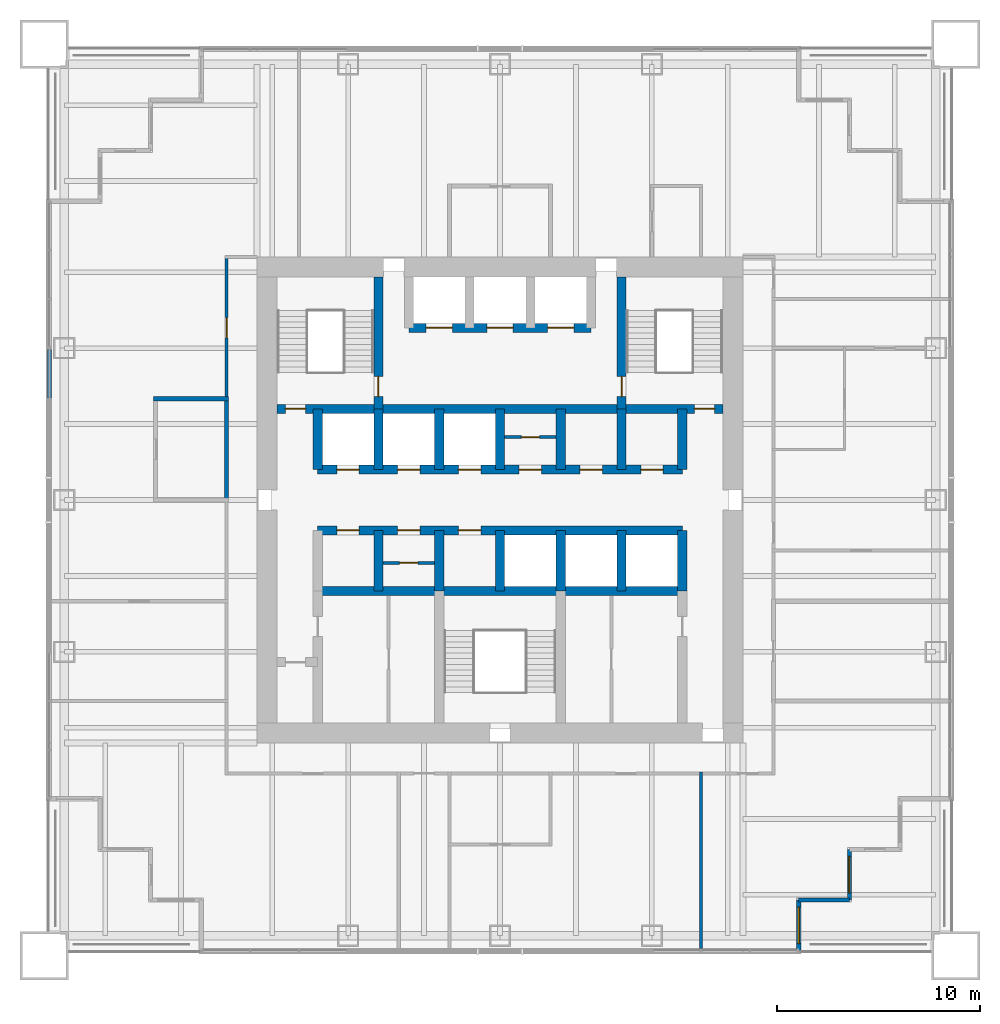
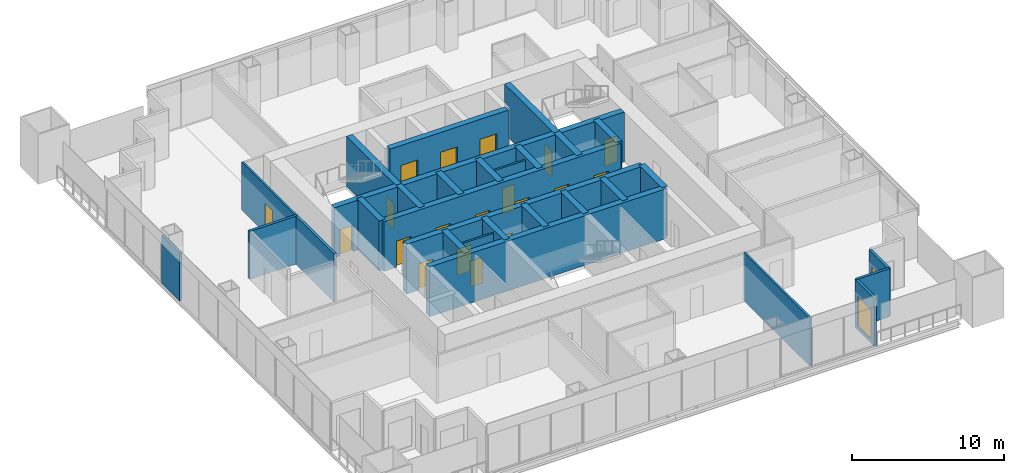
# One storey, part 9 of 13: 30 walls, 19 doors, 2 windows, 21 openings.
"""IFC4 building model written with IfcOpenShell, lengths in metres."""

from ifc_helpers import new_model, si_unit, direction, frame, frame_2d, origin, place, context, subcontext, project, spatial, rectangle, extrude, material, layer, layer_set, type_object, element, fill, save


model = new_model("IFC4")

# Units and contexts
model_context = context("Model", 3, precision=1e-05, world=origin(), true_north=direction((0.0, 1.0)))
body_context = subcontext(model_context, "Body", "Model", "MODEL_VIEW")
ifc_project = project(units=[si_unit("LENGTHUNIT", "METRE"), si_unit("AREAUNIT", "SQUARE_METRE"), si_unit("VOLUMEUNIT", "CUBIC_METRE"), si_unit("PLANEANGLEUNIT", "RADIAN"), si_unit("MASSUNIT", "GRAM", prefix="KILO")], contexts=[model_context])

# Site, building, storey
site_placement = place(None, origin())
site = spatial("IfcSite", under=ifc_project, at=site_placement, CompositionType="ELEMENT")
building_placement = place(site_placement, origin())
building = spatial("IfcBuilding", under=site, at=building_placement, Name="Tarangal Relay Tower", CompositionType="ELEMENT")
storey_placement = place(building_placement, frame((0.0, 0.0, 197.89990234375)))
storey = spatial("IfcBuildingStorey", under=building, at=storey_placement, Name="L41", CompositionType="ELEMENT", Elevation=197.89990234375)

# Walls
ifc_material_1 = material(Name="Two layers gypsum board each side on twin steel studs, mineral wool", Category="steel")
ifc_layer_1 = layer(ifc_material_1, 0.199951171875)
ifc_layer_set_1 = layer_set([ifc_layer_1], Name="Acoustic partition 200")
wall_type_1 = type_object("IfcWallType", Name="Acoustic partition 200", PredefinedType="PARTITIONING", material=ifc_layer_set_1)
wall_1_placement = place(storey_placement, frame((-17.10009765625, 5.0, 0.0), z_axis=(0.0, 0.0, 1.0), x_axis=(1.0, 0.0, 0.0)))
element("IfcWall", 1, at=wall_1_placement, inside=storey, type_object=wall_type_1, Name="Partition PT2 L41", PredefinedType="PARTITIONING", context=body_context, shape_type="SweptSolid", body=[
    extrude(rectangle(XDim=3.7001953125, YDim=0.199951171875, at=frame_2d((1.85009765625, 0.0))), origin(), (0.0, 0.0, 1.0), 3.85009765625),
])
wall_2_placement = place(storey_placement, frame((-13.5, -0.10009765625, 0.0), z_axis=(0.0, 0.0, 1.0), x_axis=(0.0, 1.0, 0.0)))
element("IfcWall", 2, at=wall_2_placement, inside=storey, type_object=wall_type_1, Name="Partition PT2 L41", PredefinedType="PARTITIONING", context=body_context, shape_type="SweptSolid", body=[
    extrude(rectangle(XDim=5.2001953125, YDim=0.199951171875, at=frame_2d((2.60009765625, 0.0))), origin(), (0.0, 0.0, 1.0), 3.85009765625),
])

# Wall, openings, doors
ifc_material_2 = material(Name="Concrete fc' 60 MPa", Category="concrete")
ifc_layer_2 = layer(ifc_material_2, 0.449951171875)
ifc_layer_set_2 = layer_set([ifc_layer_2], Name="Core inner wall 450")
wall_type_2 = type_object("IfcWallType", Name="Core inner wall 450", PredefinedType="SHEAR", material=ifc_layer_set_2)
wall_3_placement = place(storey_placement, frame((-11.0, 4.5, 0.0), z_axis=(0.0, 0.0, 1.0), x_axis=(1.0, 0.0, 0.0)))
wall_3 = element("IfcWall", 3, at=wall_3_placement, inside=storey, type_object=wall_type_2, Name="Core wall Y45 L41", PredefinedType="SHEAR", context=body_context, shape_type="SweptSolid", body=[
    extrude(rectangle(XDim=22.0, YDim=0.449951171875, at=frame_2d((11.0, 0.0))), origin(), (0.0, 0.0, 1.0), 4.0),
])
opening_1_placement = place(wall_3_placement, frame((0.39990234375, 0.0, 0.0)))
opening_1 = element("IfcOpeningElement", 4, at=opening_1_placement, cuts=wall_3, Name="Opening FD1", PredefinedType="OPENING", context=body_context, shape_type="SweptSolid", body=[
    extrude(rectangle(XDim=1.0, YDim=2.10009765625, at=frame_2d((0.5, 1.050048828125))), frame((0.0, 0.23486328125, 0.0), z_axis=(0.0, -1.0, 0.0), x_axis=(1.0, 0.0, 0.0)), (0.0, 0.0, 1.0), 0.469970703125),
])
opening_2_placement = place(wall_3_placement, frame((20.60009765625, 0.0, 0.0)))
opening_2 = element("IfcOpeningElement", 5, at=opening_2_placement, cuts=wall_3, Name="Opening FD1", PredefinedType="OPENING", context=body_context, shape_type="SweptSolid", body=[
    extrude(rectangle(XDim=1.0, YDim=2.10009765625, at=frame_2d((0.5, 1.050048828125))), frame((0.0, 0.23486328125, 0.0), z_axis=(0.0, -1.0, 0.0), x_axis=(1.0, 0.0, 0.0)), (0.0, 0.0, 1.0), 0.469970703125),
])
ifc_material_3 = material(Name="Steel door with hardwood frame", Category="steel")
door_type_1 = type_object("IfcDoorType", Name="Fire door 1000 x 2100", OperationType="SINGLE_SWING_LEFT", PredefinedType="DOOR", material=ifc_material_3)
door_1_placement = place(opening_1_placement, origin())
door_1 = element("IfcDoor", 6, at=door_1_placement, inside=storey, type_object=door_type_1, Name="Stair ST-A door from corridor L41", OperationType="SINGLE_SWING_LEFT", OverallHeight=2.10009765625, OverallWidth=1.0, PredefinedType="DOOR", context=body_context, shape_type="SweptSolid", body=[
    extrude(rectangle(XDim=1.0, YDim=2.10009765625, at=frame_2d((0.5, 1.050048828125))), frame((0.0, 0.02490234375, 0.0), z_axis=(0.0, -1.0, 0.0), x_axis=(1.0, 0.0, 0.0)), (0.0, 0.0, 1.0), 0.050048828125),
])
fill(opening_1, door_1)
door_2_placement = place(opening_2_placement, origin())
door_2 = element("IfcDoor", 7, at=door_2_placement, inside=storey, type_object=door_type_1, Name="Stair ST-B door from corridor L41", OperationType="SINGLE_SWING_LEFT", OverallHeight=2.10009765625, OverallWidth=1.0, PredefinedType="DOOR", context=body_context, shape_type="SweptSolid", body=[
    extrude(rectangle(XDim=1.0, YDim=2.10009765625, at=frame_2d((0.5, 1.050048828125))), frame((0.0, 0.02490234375, 0.0), z_axis=(0.0, -1.0, 0.0), x_axis=(1.0, 0.0, 0.0)), (0.0, 0.0, 1.0), 0.050048828125),
])
fill(opening_2, door_2)

wall_4_placement = place(storey_placement, frame((-9.0, 1.5, 0.0), z_axis=(0.0, 0.0, 1.0), x_axis=(1.0, 0.0, 0.0)))
wall_4 = element("IfcWall", 8, at=wall_4_placement, inside=storey, type_object=wall_type_2, Name="Core wall Y15 L41", PredefinedType="SHEAR", context=body_context, shape_type="SweptSolid", body=[
    extrude(rectangle(XDim=18.0, YDim=0.449951171875, at=frame_2d((9.0, 0.0))), origin(), (0.0, 0.0, 1.0), 4.0),
])
opening_3_placement = place(wall_4_placement, frame((0.949951171875, 0.0, 0.0)))
opening_3 = element("IfcOpeningElement", 9, at=opening_3_placement, cuts=wall_4, Name="Opening LD1", PredefinedType="OPENING", context=body_context, shape_type="SweptSolid", body=[
    extrude(rectangle(XDim=1.10009765625, YDim=2.10009765625, at=frame_2d((0.550048828125, 1.050048828125))), frame((0.0, 0.23486328125, 0.0), z_axis=(0.0, -1.0, 0.0), x_axis=(1.0, 0.0, 0.0)), (0.0, 0.0, 1.0), 0.469970703125),
])
opening_4_placement = place(wall_4_placement, frame((3.949951171875, 0.0, 0.0)))
opening_4 = element("IfcOpeningElement", 10, at=opening_4_placement, cuts=wall_4, Name="Opening LD1", PredefinedType="OPENING", context=body_context, shape_type="SweptSolid", body=[
    extrude(rectangle(XDim=1.10009765625, YDim=2.10009765625, at=frame_2d((0.550048828125, 1.050048828125))), frame((0.0, 0.23486328125, 0.0), z_axis=(0.0, -1.0, 0.0), x_axis=(1.0, 0.0, 0.0)), (0.0, 0.0, 1.0), 0.469970703125),
])
opening_5_placement = place(wall_4_placement, frame((6.949951171875, 0.0, 0.0)))
opening_5 = element("IfcOpeningElement", 11, at=opening_5_placement, cuts=wall_4, Name="Opening LD1", PredefinedType="OPENING", context=body_context, shape_type="SweptSolid", body=[
    extrude(rectangle(XDim=1.10009765625, YDim=2.10009765625, at=frame_2d((0.550048828125, 1.050048828125))), frame((0.0, 0.23486328125, 0.0), z_axis=(0.0, -1.0, 0.0), x_axis=(1.0, 0.0, 0.0)), (0.0, 0.0, 1.0), 0.469970703125),
])
opening_6_placement = place(wall_4_placement, frame((9.949951171875, 0.0, 0.0)))
opening_6 = element("IfcOpeningElement", 12, at=opening_6_placement, cuts=wall_4, Name="Opening D4", PredefinedType="OPENING", context=body_context, shape_type="SweptSolid", body=[
    extrude(rectangle(XDim=1.10009765625, YDim=2.10009765625, at=frame_2d((0.550048828125, 1.050048828125))), frame((0.0, 0.23486328125, 0.0), z_axis=(0.0, -1.0, 0.0), x_axis=(1.0, 0.0, 0.0)), (0.0, 0.0, 1.0), 0.469970703125),
])
opening_7_placement = place(wall_4_placement, frame((12.949951171875, 0.0, 0.0)))
opening_7 = element("IfcOpeningElement", 13, at=opening_7_placement, cuts=wall_4, Name="Opening D4", PredefinedType="OPENING", context=body_context, shape_type="SweptSolid", body=[
    extrude(rectangle(XDim=1.10009765625, YDim=2.10009765625, at=frame_2d((0.550048828125, 1.050048828125))), frame((0.0, 0.23486328125, 0.0), z_axis=(0.0, -1.0, 0.0), x_axis=(1.0, 0.0, 0.0)), (0.0, 0.0, 1.0), 0.469970703125),
])
opening_8_placement = place(wall_4_placement, frame((15.949951171875, 0.0, 0.0)))
opening_8 = element("IfcOpeningElement", 14, at=opening_8_placement, cuts=wall_4, Name="Opening D4", PredefinedType="OPENING", context=body_context, shape_type="SweptSolid", body=[
    extrude(rectangle(XDim=1.10009765625, YDim=2.10009765625, at=frame_2d((0.550048828125, 1.050048828125))), frame((0.0, 0.23486328125, 0.0), z_axis=(0.0, -1.0, 0.0), x_axis=(1.0, 0.0, 0.0)), (0.0, 0.0, 1.0), 0.469970703125),
])
door_type_2 = type_object("IfcDoorType", Name="Core room door 1100 x 2100", OperationType="SINGLE_SWING_RIGHT", PredefinedType="DOOR", material=ifc_material_3)
door_3_placement = place(opening_6_placement, origin())
door_3 = element("IfcDoor", 15, at=door_3_placement, inside=storey, type_object=door_type_2, Name="Door D4 to it room L41-T1", OperationType="SINGLE_SWING_RIGHT", OverallHeight=2.10009765625, OverallWidth=1.10009765625, PredefinedType="DOOR", context=body_context, shape_type="SweptSolid", body=[
    extrude(rectangle(XDim=1.10009765625, YDim=2.10009765625, at=frame_2d((0.550048828125, 1.050048828125))), frame((0.0, 0.02490234375, 0.0), z_axis=(0.0, -1.0, 0.0), x_axis=(1.0, 0.0, 0.0)), (0.0, 0.0, 1.0), 0.050048828125),
])
fill(opening_6, door_3)
door_4_placement = place(opening_7_placement, origin())
door_4 = element("IfcDoor", 16, at=door_4_placement, inside=storey, type_object=door_type_2, Name="Door D4 to cleaner's store L41-T2", OperationType="SINGLE_SWING_RIGHT", OverallHeight=2.10009765625, OverallWidth=1.10009765625, PredefinedType="DOOR", context=body_context, shape_type="SweptSolid", body=[
    extrude(rectangle(XDim=1.10009765625, YDim=2.10009765625, at=frame_2d((0.550048828125, 1.050048828125))), frame((0.0, 0.02490234375, 0.0), z_axis=(0.0, -1.0, 0.0), x_axis=(1.0, 0.0, 0.0)), (0.0, 0.0, 1.0), 0.050048828125),
])
fill(opening_7, door_4)
door_5_placement = place(opening_8_placement, origin())
door_5 = element("IfcDoor", 17, at=door_5_placement, inside=storey, type_object=door_type_2, Name="Door D4 to staff wc L41-T3", OperationType="SINGLE_SWING_RIGHT", OverallHeight=2.10009765625, OverallWidth=1.10009765625, PredefinedType="DOOR", context=body_context, shape_type="SweptSolid", body=[
    extrude(rectangle(XDim=1.10009765625, YDim=2.10009765625, at=frame_2d((0.550048828125, 1.050048828125))), frame((0.0, 0.02490234375, 0.0), z_axis=(0.0, -1.0, 0.0), x_axis=(1.0, 0.0, 0.0)), (0.0, 0.0, 1.0), 0.050048828125),
])
fill(opening_8, door_5)
door_type_3 = type_object("IfcDoorType", Name="Lift landing door 1100 x 2100", OperationType="SLIDING_TO_LEFT", PredefinedType="DOOR", material=ifc_material_3)
door_6_placement = place(opening_3_placement, origin())
door_6 = element("IfcDoor", 18, at=door_6_placement, inside=storey, type_object=door_type_3, Name="Lift OL1 landing door L41", OperationType="SLIDING_TO_LEFT", OverallHeight=2.10009765625, OverallWidth=1.10009765625, PredefinedType="DOOR", context=body_context, shape_type="SweptSolid", body=[
    extrude(rectangle(XDim=1.10009765625, YDim=2.10009765625, at=frame_2d((0.550048828125, 1.050048828125))), frame((0.0, 0.02490234375, 0.0), z_axis=(0.0, -1.0, 0.0), x_axis=(1.0, 0.0, 0.0)), (0.0, 0.0, 1.0), 0.050048828125),
])
fill(opening_3, door_6)
door_7_placement = place(opening_4_placement, origin())
door_7 = element("IfcDoor", 19, at=door_7_placement, inside=storey, type_object=door_type_3, Name="Lift OL2 landing door L41", OperationType="SLIDING_TO_LEFT", OverallHeight=2.10009765625, OverallWidth=1.10009765625, PredefinedType="DOOR", context=body_context, shape_type="SweptSolid", body=[
    extrude(rectangle(XDim=1.10009765625, YDim=2.10009765625, at=frame_2d((0.550048828125, 1.050048828125))), frame((0.0, 0.02490234375, 0.0), z_axis=(0.0, -1.0, 0.0), x_axis=(1.0, 0.0, 0.0)), (0.0, 0.0, 1.0), 0.050048828125),
])
fill(opening_4, door_7)
door_8_placement = place(opening_5_placement, origin())
door_8 = element("IfcDoor", 20, at=door_8_placement, inside=storey, type_object=door_type_3, Name="Lift OL3 landing door L41", OperationType="SLIDING_TO_LEFT", OverallHeight=2.10009765625, OverallWidth=1.10009765625, PredefinedType="DOOR", context=body_context, shape_type="SweptSolid", body=[
    extrude(rectangle(XDim=1.10009765625, YDim=2.10009765625, at=frame_2d((0.550048828125, 1.050048828125))), frame((0.0, 0.02490234375, 0.0), z_axis=(0.0, -1.0, 0.0), x_axis=(1.0, 0.0, 0.0)), (0.0, 0.0, 1.0), 0.050048828125),
])
fill(opening_5, door_8)

wall_5_placement = place(storey_placement, frame((-9.0, -1.5, 0.0), z_axis=(0.0, 0.0, 1.0), x_axis=(1.0, 0.0, 0.0)))
wall_5 = element("IfcWall", 21, at=wall_5_placement, inside=storey, type_object=wall_type_2, Name="Core wall YM15 L41", PredefinedType="SHEAR", context=body_context, shape_type="SweptSolid", body=[
    extrude(rectangle(XDim=18.0, YDim=0.449951171875, at=frame_2d((9.0, 0.0))), origin(), (0.0, 0.0, 1.0), 4.0),
])
opening_9_placement = place(wall_5_placement, frame((0.949951171875, 0.0, 0.0)))
opening_9 = element("IfcOpeningElement", 22, at=opening_9_placement, cuts=wall_5, Name="Opening D4", PredefinedType="OPENING", context=body_context, shape_type="SweptSolid", body=[
    extrude(rectangle(XDim=1.10009765625, YDim=2.10009765625, at=frame_2d((0.550048828125, 1.050048828125))), frame((0.0, 0.23486328125, 0.0), z_axis=(0.0, -1.0, 0.0), x_axis=(1.0, 0.0, 0.0)), (0.0, 0.0, 1.0), 0.469970703125),
])
opening_10_placement = place(wall_5_placement, frame((3.949951171875, 0.0, 0.0)))
opening_10 = element("IfcOpeningElement", 23, at=opening_10_placement, cuts=wall_5, Name="Opening D4", PredefinedType="OPENING", context=body_context, shape_type="SweptSolid", body=[
    extrude(rectangle(XDim=1.10009765625, YDim=2.10009765625, at=frame_2d((0.550048828125, 1.050048828125))), frame((0.0, 0.23486328125, 0.0), z_axis=(0.0, -1.0, 0.0), x_axis=(1.0, 0.0, 0.0)), (0.0, 0.0, 1.0), 0.469970703125),
])
opening_11_placement = place(wall_5_placement, frame((6.949951171875, 0.0, 0.0)))
opening_11 = element("IfcOpeningElement", 24, at=opening_11_placement, cuts=wall_5, Name="Opening D4", PredefinedType="OPENING", context=body_context, shape_type="SweptSolid", body=[
    extrude(rectangle(XDim=1.10009765625, YDim=2.10009765625, at=frame_2d((0.550048828125, 1.050048828125))), frame((0.0, 0.23486328125, 0.0), z_axis=(0.0, -1.0, 0.0), x_axis=(1.0, 0.0, 0.0)), (0.0, 0.0, 1.0), 0.469970703125),
])
door_9_placement = place(opening_9_placement, origin())
door_9 = element("IfcDoor", 25, at=door_9_placement, inside=storey, type_object=door_type_2, Name="Door D4 to staff pantry L41-S1", OperationType="SINGLE_SWING_RIGHT", OverallHeight=2.10009765625, OverallWidth=1.10009765625, PredefinedType="DOOR", context=body_context, shape_type="SweptSolid", body=[
    extrude(rectangle(XDim=1.10009765625, YDim=2.10009765625, at=frame_2d((0.550048828125, 1.050048828125))), frame((0.0, 0.02490234375, 0.0), z_axis=(0.0, -1.0, 0.0), x_axis=(1.0, 0.0, 0.0)), (0.0, 0.0, 1.0), 0.050048828125),
])
fill(opening_9, door_9)
door_10_placement = place(opening_10_placement, origin())
door_10 = element("IfcDoor", 26, at=door_10_placement, inside=storey, type_object=door_type_2, Name="Door D4 to it room L41-S2", OperationType="SINGLE_SWING_RIGHT", OverallHeight=2.10009765625, OverallWidth=1.10009765625, PredefinedType="DOOR", context=body_context, shape_type="SweptSolid", body=[
    extrude(rectangle(XDim=1.10009765625, YDim=2.10009765625, at=frame_2d((0.550048828125, 1.050048828125))), frame((0.0, 0.02490234375, 0.0), z_axis=(0.0, -1.0, 0.0), x_axis=(1.0, 0.0, 0.0)), (0.0, 0.0, 1.0), 0.050048828125),
])
fill(opening_10, door_10)
door_11_placement = place(opening_11_placement, origin())
door_11 = element("IfcDoor", 27, at=door_11_placement, inside=storey, type_object=door_type_2, Name="Door D4 to cleaner's store L41-S3", OperationType="SINGLE_SWING_RIGHT", OverallHeight=2.10009765625, OverallWidth=1.10009765625, PredefinedType="DOOR", context=body_context, shape_type="SweptSolid", body=[
    extrude(rectangle(XDim=1.10009765625, YDim=2.10009765625, at=frame_2d((0.550048828125, 1.050048828125))), frame((0.0, 0.02490234375, 0.0), z_axis=(0.0, -1.0, 0.0), x_axis=(1.0, 0.0, 0.0)), (0.0, 0.0, 1.0), 0.050048828125),
])
fill(opening_11, door_11)

# Wall
wall_6_placement = place(storey_placement, frame((-9.0, -4.5, 0.0), z_axis=(0.0, 0.0, 1.0), x_axis=(1.0, 0.0, 0.0)))
element("IfcWall", 28, at=wall_6_placement, inside=storey, type_object=wall_type_2, Name="Core wall YM45 L41", PredefinedType="SHEAR", context=body_context, shape_type="SweptSolid", body=[
    extrude(rectangle(XDim=18.0, YDim=0.449951171875, at=frame_2d((9.0, 0.0))), origin(), (0.0, 0.0, 1.0), 4.0),
])

# Wall, openings, doors
wall_7_placement = place(storey_placement, frame((-4.5, 8.5, 0.0), z_axis=(0.0, 0.0, 1.0), x_axis=(1.0, 0.0, 0.0)))
wall_7 = element("IfcWall", 29, at=wall_7_placement, inside=storey, type_object=wall_type_2, Name="Core wall Y85 L41", PredefinedType="SHEAR", context=body_context, shape_type="SweptSolid", body=[
    extrude(rectangle(XDim=9.0, YDim=0.449951171875, at=frame_2d((4.5, 0.0))), origin(), (0.0, 0.0, 1.0), 4.0),
])
opening_12_placement = place(wall_7_placement, frame((0.85009765625, 0.0, 0.0)))
opening_12 = element("IfcOpeningElement", 30, at=opening_12_placement, cuts=wall_7, Name="Opening LD2", PredefinedType="OPENING", context=body_context, shape_type="SweptSolid", body=[
    extrude(rectangle(XDim=1.300048828125, YDim=2.39990234375, at=frame_2d((0.64990234375, 1.199951171875))), frame((0.0, 0.23486328125, 0.0), z_axis=(0.0, -1.0, 0.0), x_axis=(1.0, 0.0, 0.0)), (0.0, 0.0, 1.0), 0.469970703125),
])
opening_13_placement = place(wall_7_placement, frame((6.85009765625, 0.0, 0.0)))
opening_13 = element("IfcOpeningElement", 31, at=opening_13_placement, cuts=wall_7, Name="Opening LD2", PredefinedType="OPENING", context=body_context, shape_type="SweptSolid", body=[
    extrude(rectangle(XDim=1.300048828125, YDim=2.39990234375, at=frame_2d((0.64990234375, 1.199951171875))), frame((0.0, 0.23486328125, 0.0), z_axis=(0.0, -1.0, 0.0), x_axis=(1.0, 0.0, 0.0)), (0.0, 0.0, 1.0), 0.469970703125),
])
opening_14_placement = place(wall_7_placement, frame((3.85009765625, 0.0, 0.0)))
opening_14 = element("IfcOpeningElement", 32, at=opening_14_placement, cuts=wall_7, Name="Opening LD2", PredefinedType="OPENING", context=body_context, shape_type="SweptSolid", body=[
    extrude(rectangle(XDim=1.300048828125, YDim=2.39990234375, at=frame_2d((0.64990234375, 1.199951171875))), frame((0.0, 0.23486328125, 0.0), z_axis=(0.0, -1.0, 0.0), x_axis=(1.0, 0.0, 0.0)), (0.0, 0.0, 1.0), 0.469970703125),
])
door_type_4 = type_object("IfcDoorType", Name="Lift landing door 1300 x 2400", OperationType="SLIDING_TO_LEFT", PredefinedType="DOOR", material=ifc_material_3)
door_12_placement = place(opening_12_placement, origin())
door_12 = element("IfcDoor", 33, at=door_12_placement, inside=storey, type_object=door_type_4, Name="Lift FF1 landing door L41", OperationType="SLIDING_TO_LEFT", OverallHeight=2.39990234375, OverallWidth=1.300048828125, PredefinedType="DOOR", context=body_context, shape_type="SweptSolid", body=[
    extrude(rectangle(XDim=1.300048828125, YDim=2.39990234375, at=frame_2d((0.64990234375, 1.199951171875))), frame((0.0, 0.02490234375, 0.0), z_axis=(0.0, -1.0, 0.0), x_axis=(1.0, 0.0, 0.0)), (0.0, 0.0, 1.0), 0.050048828125),
])
fill(opening_12, door_12)
door_13_placement = place(opening_13_placement, origin())
door_13 = element("IfcDoor", 34, at=door_13_placement, inside=storey, type_object=door_type_4, Name="Lift FF2 landing door L41", OperationType="SLIDING_TO_LEFT", OverallHeight=2.39990234375, OverallWidth=1.300048828125, PredefinedType="DOOR", context=body_context, shape_type="SweptSolid", body=[
    extrude(rectangle(XDim=1.300048828125, YDim=2.39990234375, at=frame_2d((0.64990234375, 1.199951171875))), frame((0.0, 0.02490234375, 0.0), z_axis=(0.0, -1.0, 0.0), x_axis=(1.0, 0.0, 0.0)), (0.0, 0.0, 1.0), 0.050048828125),
])
fill(opening_13, door_13)
door_14_placement = place(opening_14_placement, origin())
door_14 = element("IfcDoor", 35, at=door_14_placement, inside=storey, type_object=door_type_4, Name="Lift SV1 landing door L41", OperationType="SLIDING_TO_LEFT", OverallHeight=2.39990234375, OverallWidth=1.300048828125, PredefinedType="DOOR", context=body_context, shape_type="SweptSolid", body=[
    extrude(rectangle(XDim=1.300048828125, YDim=2.39990234375, at=frame_2d((0.64990234375, 1.199951171875))), frame((0.0, 0.02490234375, 0.0), z_axis=(0.0, -1.0, 0.0), x_axis=(1.0, 0.0, 0.0)), (0.0, 0.0, 1.0), 0.050048828125),
])
fill(opening_14, door_14)

# Walls
for number, where, z_axis, x_axis, name in (
    (36, (-9.0, 1.5, 0.0), (0.0, 0.0, 1.0), (0.0, 1.0, 0.0), "Core wall XM9N L41"),
    (37, (9.0, 1.5, 0.0), (0.0, 0.0, 1.0), (0.0, 1.0, 0.0), "Core wall X9N L41"),
    (38, (9.0, -4.5, 0.0), (0.0, 0.0, 1.0), (0.0, 1.0, 0.0), "Core wall X9S L41"),
    (39, (-6.0, 1.5, 0.0), (0.0, 0.0, 1.0), (0.0, 1.0, 0.0), "Core wall XM6N L41"),
    (40, (-3.0, 1.5, 0.0), (0.0, 0.0, 1.0), (0.0, 1.0, 0.0), "Core wall XM3N L41"),
    (41, (0.0, 1.5, 0.0), (0.0, 0.0, 1.0), (0.0, 1.0, 0.0), "Core wall X0N L41"),
    (42, (3.0, 1.5, 0.0), (0.0, 0.0, 1.0), (0.0, 1.0, 0.0), "Core wall X3N L41"),
    (43, (6.0, 1.5, 0.0), (0.0, 0.0, 1.0), (0.0, 1.0, 0.0), "Core wall X6N L41"),
    (44, (-6.0, -4.5, 0.0), (0.0, 0.0, 1.0), (0.0, 1.0, 0.0), "Core wall XM6S L41"),
    (45, (-3.0, -4.5, 0.0), (0.0, 0.0, 1.0), (0.0, 1.0, 0.0), "Core wall XM3S L41"),
    (46, (0.0, -4.5, 0.0), (0.0, 0.0, 1.0), (0.0, 1.0, 0.0), "Core wall X0S L41"),
    (47, (3.0, -4.5, 0.0), (0.0, 0.0, 1.0), (0.0, 1.0, 0.0), "Core wall X3S L41"),
    (48, (6.0, -4.5, 0.0), (0.0, 0.0, 1.0), (0.0, 1.0, 0.0), "Core wall X6S L41"),
):
    element("IfcWall", number, at=place(storey_placement, frame(where, z_axis=z_axis, x_axis=x_axis)), inside=storey, type_object=wall_type_2, Name=name, PredefinedType="SHEAR", context=body_context, shape_type="SweptSolid", body=[
        extrude(rectangle(XDim=3.0, YDim=0.449951171875, at=frame_2d((1.5, 0.0))), origin(), (0.0, 0.0, 1.0), 4.0),
    ])

# Wall, opening, door
wall_8_placement = place(storey_placement, frame((-6.0, 4.5, 0.0), z_axis=(0.0, 0.0, 1.0), x_axis=(0.0, 1.0, 0.0)))
wall_8 = element("IfcWall", 49, at=wall_8_placement, inside=storey, type_object=wall_type_2, Name="Core wall XM6 L41", PredefinedType="SHEAR", context=body_context, shape_type="SweptSolid", body=[
    extrude(rectangle(XDim=6.5, YDim=0.449951171875, at=frame_2d((3.25, 0.0))), origin(), (0.0, 0.0, 1.0), 4.0),
])
opening_15_placement = place(wall_8_placement, frame((0.60009765625, 0.0, 0.0)))
opening_15 = element("IfcOpeningElement", 50, at=opening_15_placement, cuts=wall_8, Name="Opening FD1", PredefinedType="OPENING", context=body_context, shape_type="SweptSolid", body=[
    extrude(rectangle(XDim=1.0, YDim=2.10009765625, at=frame_2d((0.5, 1.050048828125))), frame((0.0, 0.23486328125, 0.0), z_axis=(0.0, -1.0, 0.0), x_axis=(1.0, 0.0, 0.0)), (0.0, 0.0, 1.0), 0.469970703125),
])
door_15_placement = place(opening_15_placement, origin())
door_15 = element("IfcDoor", 51, at=door_15_placement, inside=storey, type_object=door_type_1, Name="Stair ST-A door from fire-fighting lobby L41", OperationType="SINGLE_SWING_LEFT", OverallHeight=2.10009765625, OverallWidth=1.0, PredefinedType="DOOR", context=body_context, shape_type="SweptSolid", body=[
    extrude(rectangle(XDim=1.0, YDim=2.10009765625, at=frame_2d((0.5, 1.050048828125))), frame((0.0, 0.02490234375, 0.0), z_axis=(0.0, -1.0, 0.0), x_axis=(1.0, 0.0, 0.0)), (0.0, 0.0, 1.0), 0.050048828125),
])
fill(opening_15, door_15)

wall_9_placement = place(storey_placement, frame((6.0, 4.5, 0.0), z_axis=(0.0, 0.0, 1.0), x_axis=(0.0, 1.0, 0.0)))
wall_9 = element("IfcWall", 52, at=wall_9_placement, inside=storey, type_object=wall_type_2, Name="Core wall X6 L41", PredefinedType="SHEAR", context=body_context, shape_type="SweptSolid", body=[
    extrude(rectangle(XDim=6.5, YDim=0.449951171875, at=frame_2d((3.25, 0.0))), origin(), (0.0, 0.0, 1.0), 4.0),
])
opening_16_placement = place(wall_9_placement, frame((0.60009765625, 0.0, 0.0)))
opening_16 = element("IfcOpeningElement", 53, at=opening_16_placement, cuts=wall_9, Name="Opening FD1", PredefinedType="OPENING", context=body_context, shape_type="SweptSolid", body=[
    extrude(rectangle(XDim=1.0, YDim=2.10009765625, at=frame_2d((0.5, 1.050048828125))), frame((0.0, 0.23486328125, 0.0), z_axis=(0.0, -1.0, 0.0), x_axis=(1.0, 0.0, 0.0)), (0.0, 0.0, 1.0), 0.469970703125),
])
door_16_placement = place(opening_16_placement, origin())
door_16 = element("IfcDoor", 54, at=door_16_placement, inside=storey, type_object=door_type_1, Name="Stair ST-B door from fire-fighting lobby L41", OperationType="SINGLE_SWING_LEFT", OverallHeight=2.10009765625, OverallWidth=1.0, PredefinedType="DOOR", context=body_context, shape_type="SweptSolid", body=[
    extrude(rectangle(XDim=1.0, YDim=2.10009765625, at=frame_2d((0.5, 1.050048828125))), frame((0.0, 0.02490234375, 0.0), z_axis=(0.0, -1.0, 0.0), x_axis=(1.0, 0.0, 0.0)), (0.0, 0.0, 1.0), 0.050048828125),
])
fill(opening_16, door_16)

# Wall, opening, window
ifc_material_4 = material(Name="Black metal clad insulated wall", Category="steel")
ifc_layer_3 = layer(ifc_material_4, 0.199951171875)
ifc_layer_set_3 = layer_set([ifc_layer_3], Name="Corner wall metal clad 200")
wall_type_3 = type_object("IfcWallType", Name="Corner wall metal clad 200", PredefinedType="SOLIDWALL", material=ifc_layer_set_3)
wall_10_placement = place(storey_placement, frame((17.25, -17.25, 0.0), z_axis=(0.0, 0.0, 1.0), x_axis=(0.0, -1.0, 0.0)))
wall_10 = element("IfcWall", 55, at=wall_10_placement, inside=storey, type_object=wall_type_3, Name="Facade wall E facade L41", PredefinedType="SOLIDWALL", context=body_context, shape_type="SweptSolid", body=[
    extrude(rectangle(XDim=2.5, YDim=0.199951171875, at=frame_2d((1.25, 0.0))), origin(), (0.0, 0.0, 1.0), 3.85009765625),
])
opening_17_placement = place(wall_10_placement, frame((0.35009765625, 0.0, 0.300048828125)))
opening_17 = element("IfcOpeningElement", 56, at=opening_17_placement, cuts=wall_10, Name="Opening WN2", PredefinedType="OPENING", context=body_context, shape_type="SweptSolid", body=[
    extrude(rectangle(XDim=1.800048828125, YDim=2.39990234375, at=frame_2d((0.89990234375, 1.199951171875))), frame((0.0, 0.10986328125, 0.0), z_axis=(0.0, -1.0, 0.0), x_axis=(1.0, 0.0, 0.0)), (0.0, 0.0, 1.0), 0.219970703125),
])
ifc_material_5 = material(Name="Dark tinted double glazing in black aluminium frame", Category="aluminium")
window_type = type_object("IfcWindowType", Name="Corner window 1800 x 2400", PartitioningType="SINGLE_PANEL", PredefinedType="WINDOW", material=ifc_material_5)
window_1_placement = place(opening_17_placement, origin())
window_1 = element("IfcWindow", 57, at=window_1_placement, inside=storey, type_object=window_type, Name="Corner window WN2 E facade L41", OverallHeight=2.39990234375, OverallWidth=1.800048828125, PartitioningType="SINGLE_PANEL", PredefinedType="WINDOW", context=body_context, shape_type="SweptSolid", body=[
    extrude(rectangle(XDim=1.800048828125, YDim=2.39990234375, at=frame_2d((0.89990234375, 1.199951171875))), frame((0.0, 0.030029296875, 0.0), z_axis=(0.0, -1.0, 0.0), x_axis=(1.0, 0.0, 0.0)), (0.0, 0.0, 1.0), 0.06005859375),
])
fill(opening_17, window_1)

# Wall
wall_11_placement = place(storey_placement, frame((17.25, -19.75, 0.0), z_axis=(0.0, 0.0, 1.0), x_axis=(-1.0, 0.0, 0.0)))
element("IfcWall", 58, at=wall_11_placement, inside=storey, type_object=wall_type_3, Name="Facade wall E facade L41", PredefinedType="SOLIDWALL", context=body_context, shape_type="SweptSolid", body=[
    extrude(rectangle(XDim=2.5, YDim=0.199951171875, at=frame_2d((1.25, 0.0))), origin(), (0.0, 0.0, 1.0), 3.85009765625),
])

# Wall, opening, window
wall_12_placement = place(storey_placement, frame((14.75, -19.75, 0.0), z_axis=(0.0, 0.0, 1.0), x_axis=(0.0, -1.0, 0.0)))
wall_12 = element("IfcWall", 59, at=wall_12_placement, inside=storey, type_object=wall_type_3, Name="Facade wall E facade L41", PredefinedType="SOLIDWALL", context=body_context, shape_type="SweptSolid", body=[
    extrude(rectangle(XDim=2.5, YDim=0.199951171875, at=frame_2d((1.25, 0.0))), origin(), (0.0, 0.0, 1.0), 3.85009765625),
])
opening_18_placement = place(wall_12_placement, frame((0.35009765625, 0.0, 0.300048828125)))
opening_18 = element("IfcOpeningElement", 60, at=opening_18_placement, cuts=wall_12, Name="Opening WN2", PredefinedType="OPENING", context=body_context, shape_type="SweptSolid", body=[
    extrude(rectangle(XDim=1.800048828125, YDim=2.39990234375, at=frame_2d((0.89990234375, 1.199951171875))), frame((0.0, 0.10986328125, 0.0), z_axis=(0.0, -1.0, 0.0), x_axis=(1.0, 0.0, 0.0)), (0.0, 0.0, 1.0), 0.219970703125),
])
window_2_placement = place(opening_18_placement, origin())
window_2 = element("IfcWindow", 61, at=window_2_placement, inside=storey, type_object=window_type, Name="Corner window WN2 E facade L41", OverallHeight=2.39990234375, OverallWidth=1.800048828125, PartitioningType="SINGLE_PANEL", PredefinedType="WINDOW", context=body_context, shape_type="SweptSolid", body=[
    extrude(rectangle(XDim=1.800048828125, YDim=2.39990234375, at=frame_2d((0.89990234375, 1.199951171875))), frame((0.0, 0.030029296875, 0.0), z_axis=(0.0, -1.0, 0.0), x_axis=(1.0, 0.0, 0.0)), (0.0, 0.0, 1.0), 0.06005859375),
])
fill(opening_18, window_2)

# Wall
ifc_layer_4 = layer(ifc_material_4, 0.199951171875)
ifc_layer_set_4 = layer_set([ifc_layer_4], Name="Facade infill wall metal clad 200")
wall_type_4 = type_object("IfcWallType", Name="Facade infill wall metal clad 200", PredefinedType="SOLIDWALL", material=ifc_layer_set_4)
wall_13_placement = place(storey_placement, frame((-22.25, 5.032470703125, 0.0), z_axis=(0.0, 0.0, 1.0), x_axis=(0.0, 1.0, 0.0)))
element("IfcWall", 62, at=wall_13_placement, inside=storey, type_object=wall_type_4, Name="Facade infill wall W facade L41 3.1", PredefinedType="SOLIDWALL", context=body_context, shape_type="SweptSolid", body=[
    extrude(rectangle(XDim=2.402587890625, YDim=0.199951171875, at=frame_2d((1.201171875, 0.0))), origin(), (0.0, 0.0, 1.0), 3.85009765625),
])

# Wall, opening, door
ifc_material_6 = material(Name="Gypsum board on steel studs", Category="steel")
ifc_layer_5 = layer(ifc_material_6, 0.14990234375)
ifc_layer_set_5 = layer_set([ifc_layer_5], Name="Partition 150")
wall_type_5 = type_object("IfcWallType", Name="Partition 150", PredefinedType="PARTITIONING", material=ifc_layer_set_5)
wall_14_placement = place(storey_placement, frame((-13.5, 4.925048828125, 0.0), z_axis=(0.0, 0.0, 1.0), x_axis=(0.0, 1.0, 0.0)))
wall_14 = element("IfcWall", 63, at=wall_14_placement, inside=storey, type_object=wall_type_5, Name="Partition PT1 L41", PredefinedType="PARTITIONING", context=body_context, shape_type="SweptSolid", body=[
    extrude(rectangle(XDim=7.14990234375, YDim=0.14990234375, at=frame_2d((3.574951171875, 0.0))), origin(), (0.0, 0.0, 1.0), 3.85009765625),
])
opening_19_placement = place(wall_14_placement, frame((3.074951171875, 0.0, 0.0)))
opening_19 = element("IfcOpeningElement", 64, at=opening_19_placement, cuts=wall_14, Name="Opening SD1", PredefinedType="OPENING", context=body_context, shape_type="SweptSolid", body=[
    extrude(rectangle(XDim=1.0, YDim=2.39990234375, at=frame_2d((0.5, 1.199951171875))), frame((0.0, 0.0849609375, 0.0), z_axis=(0.0, -1.0, 0.0), x_axis=(1.0, 0.0, 0.0)), (0.0, 0.0, 1.0), 0.169921875),
])
door_type_5 = type_object("IfcDoorType", Name="Suite entrance door 1000 x 2400", OperationType="SINGLE_SWING_RIGHT", PredefinedType="DOOR", material=ifc_material_3)
door_17_placement = place(opening_19_placement, origin())
door_17 = element("IfcDoor", 65, at=door_17_placement, inside=storey, type_object=door_type_5, Name="Door SD1 to open plan office L41-16", OperationType="SINGLE_SWING_RIGHT", OverallHeight=2.39990234375, OverallWidth=1.0, PredefinedType="DOOR", context=body_context, shape_type="SweptSolid", body=[
    extrude(rectangle(XDim=1.0, YDim=2.39990234375, at=frame_2d((0.5, 1.199951171875))), frame((0.0, 0.02490234375, 0.0), z_axis=(0.0, -1.0, 0.0), x_axis=(1.0, 0.0, 0.0)), (0.0, 0.0, 1.0), 0.050048828125),
])
fill(opening_19, door_17)

# Wall
wall_15_placement = place(storey_placement, frame((9.9169921875, -22.14990234375, 0.0), z_axis=(0.0, 0.0, 1.0), x_axis=(0.0, 1.0, 0.0)))
element("IfcWall", 66, at=wall_15_placement, inside=storey, type_object=wall_type_5, Name="Partition PT1 L41", PredefinedType="PARTITIONING", context=body_context, shape_type="SweptSolid", body=[
    extrude(rectangle(XDim=8.724853515625, YDim=0.14990234375, at=frame_2d((4.3623046875, 0.0))), origin(), (0.0, 0.0, 1.0), 3.85009765625),
])

# Wall, opening, door
wall_16_placement = place(storey_placement, frame((0.22509765625, 3.10009765625, 0.0), z_axis=(0.0, 0.0, 1.0), x_axis=(1.0, 0.0, 0.0)))
wall_16 = element("IfcWall", 67, at=wall_16_placement, inside=storey, type_object=wall_type_5, Name="Partition PT1 L41", PredefinedType="PARTITIONING", context=body_context, shape_type="SweptSolid", body=[
    extrude(rectangle(XDim=2.5498046875, YDim=0.14990234375, at=frame_2d((1.27490234375, 0.0))), origin(), (0.0, 0.0, 1.0), 3.75),
])
opening_20_placement = place(wall_16_placement, frame((0.824951171875, 0.0, 0.0)))
opening_20 = element("IfcOpeningElement", 68, at=opening_20_placement, cuts=wall_16, Name="Opening D5", PredefinedType="OPENING", context=body_context, shape_type="SweptSolid", body=[
    extrude(rectangle(XDim=0.89990234375, YDim=2.10009765625, at=frame_2d((0.449951171875, 1.050048828125))), frame((0.0, 0.0849609375, 0.0), z_axis=(0.0, -1.0, 0.0), x_axis=(1.0, 0.0, 0.0)), (0.0, 0.0, 1.0), 0.169921875),
])
ifc_material_7 = material(Name="Hardwood door", Category="wood")
door_type_6 = type_object("IfcDoorType", Name="Cupboard door 900 x 2100", OperationType="SINGLE_SWING_LEFT", PredefinedType="DOOR", material=ifc_material_7)
door_18_placement = place(opening_20_placement, origin())
door_18 = element("IfcDoor", 69, at=door_18_placement, inside=storey, type_object=door_type_6, Name="Door D5 to it patch cupboard L41-T1B", OperationType="SINGLE_SWING_LEFT", OverallHeight=2.10009765625, OverallWidth=0.89990234375, PredefinedType="DOOR", context=body_context, shape_type="SweptSolid", body=[
    extrude(rectangle(XDim=0.89990234375, YDim=2.10009765625, at=frame_2d((0.449951171875, 1.050048828125))), frame((0.0, 0.02490234375, 0.0), z_axis=(0.0, -1.0, 0.0), x_axis=(1.0, 0.0, 0.0)), (0.0, 0.0, 1.0), 0.050048828125),
])
fill(opening_20, door_18)

wall_17_placement = place(storey_placement, frame((-5.77490234375, -3.10009765625, 0.0), z_axis=(0.0, 0.0, 1.0), x_axis=(1.0, 0.0, 0.0)))
wall_17 = element("IfcWall", 70, at=wall_17_placement, inside=storey, type_object=wall_type_5, Name="Partition PT1 L41", PredefinedType="PARTITIONING", context=body_context, shape_type="SweptSolid", body=[
    extrude(rectangle(XDim=2.5498046875, YDim=0.14990234375, at=frame_2d((1.27490234375, 0.0))), origin(), (0.0, 0.0, 1.0), 3.75),
])
opening_21_placement = place(wall_17_placement, frame((0.824951171875, 0.0, 0.0)))
opening_21 = element("IfcOpeningElement", 71, at=opening_21_placement, cuts=wall_17, Name="Opening D5", PredefinedType="OPENING", context=body_context, shape_type="SweptSolid", body=[
    extrude(rectangle(XDim=0.89990234375, YDim=2.10009765625, at=frame_2d((0.449951171875, 1.050048828125))), frame((0.0, 0.0849609375, 0.0), z_axis=(0.0, -1.0, 0.0), x_axis=(1.0, 0.0, 0.0)), (0.0, 0.0, 1.0), 0.169921875),
])
door_19_placement = place(opening_21_placement, origin())
door_19 = element("IfcDoor", 72, at=door_19_placement, inside=storey, type_object=door_type_6, Name="Door D5 to it patch cupboard L41-S2B", OperationType="SINGLE_SWING_LEFT", OverallHeight=2.10009765625, OverallWidth=0.89990234375, PredefinedType="DOOR", context=body_context, shape_type="SweptSolid", body=[
    extrude(rectangle(XDim=0.89990234375, YDim=2.10009765625, at=frame_2d((0.449951171875, 1.050048828125))), frame((0.0, 0.02490234375, 0.0), z_axis=(0.0, -1.0, 0.0), x_axis=(1.0, 0.0, 0.0)), (0.0, 0.0, 1.0), 0.050048828125),
])
fill(opening_21, door_19)

save(model, "model.ifc")
